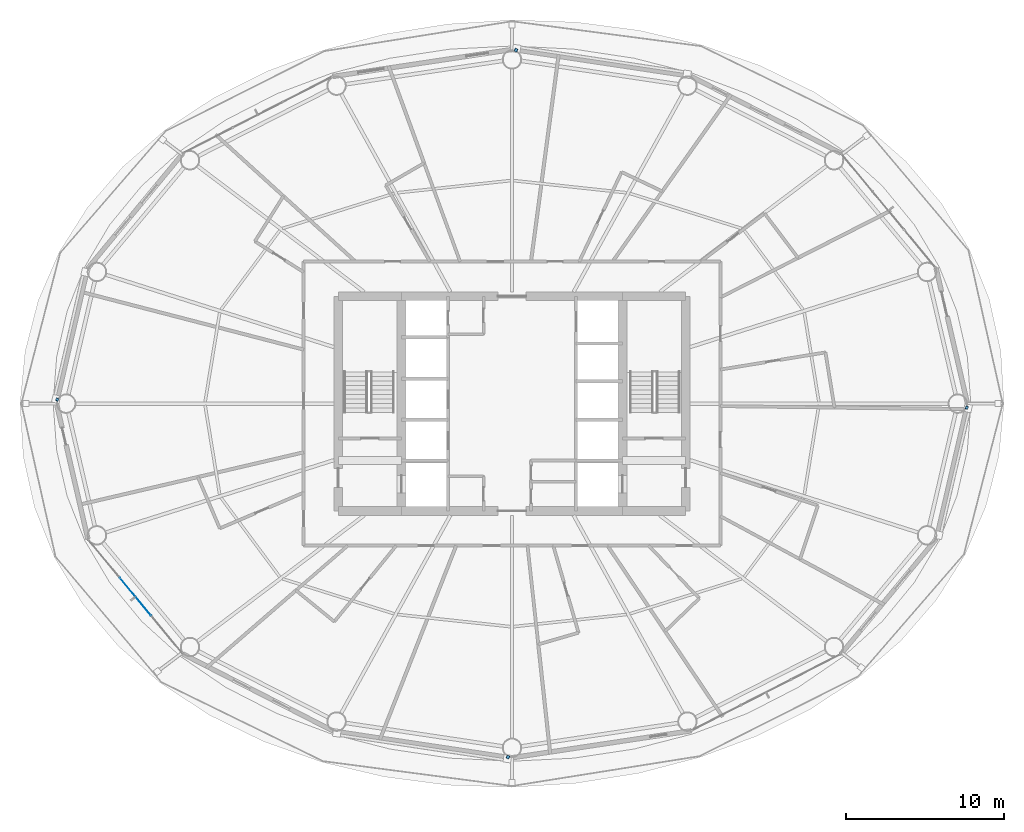
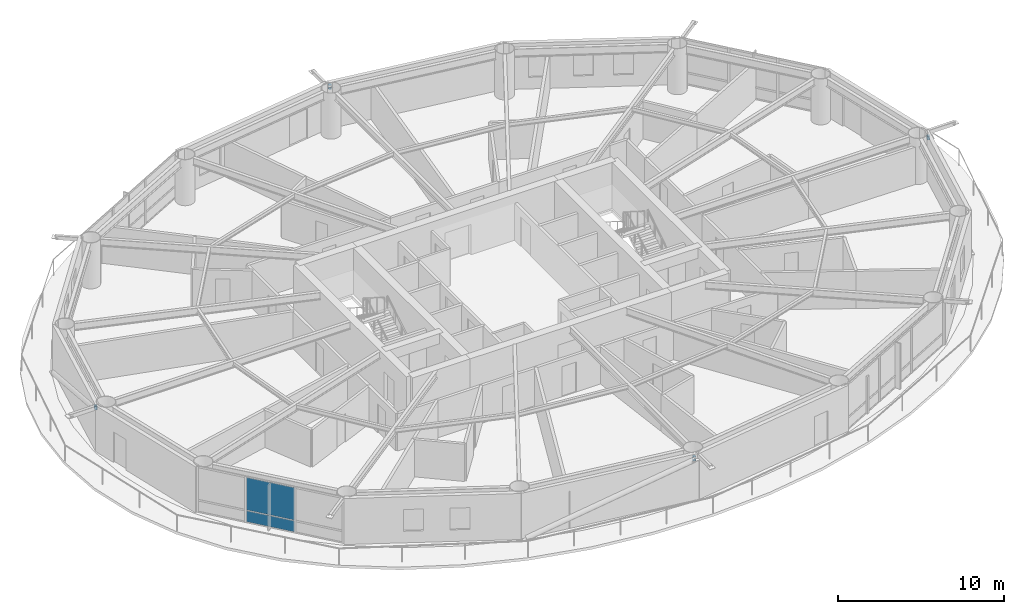
# One storey, part 13 of 24: 4 members, 2 plates, 1 element without a shape of its own.
"""IFC4 building model written with IfcOpenShell, lengths in metres."""

from ifc_helpers import new_model, si_unit, direction, frame, origin, origin_2d, place, context, subcontext, project, spatial, rectangle, hollow_rectangle, extrude, material, layer, layer_set, material_profile, profile_set, type_object, element, aggregate, save


model = new_model("IFC4")

# Units and contexts
model_context = context("Model", 3, precision=1e-05, world=origin(), true_north=direction((0.0, 1.0)))
body_context = subcontext(model_context, "Body", "Model", "MODEL_VIEW")
ifc_project = project(units=[si_unit("LENGTHUNIT", "METRE"), si_unit("AREAUNIT", "SQUARE_METRE"), si_unit("VOLUMEUNIT", "CUBIC_METRE"), si_unit("PLANEANGLEUNIT", "RADIAN"), si_unit("MASSUNIT", "GRAM", prefix="KILO")], contexts=[model_context])

# Site, building, storey
site_placement = place(None, origin())
site = spatial("IfcSite", under=ifc_project, at=site_placement, CompositionType="ELEMENT")
building_placement = place(site_placement, origin())
building = spatial("IfcBuilding", under=site, at=building_placement, Name="Sarneth Arch Tower", CompositionType="ELEMENT")
storey_placement = place(building_placement, frame((0.0, 0.0, 112.800048828125)))
storey = spatial("IfcBuildingStorey", under=building, at=storey_placement, Name="L28", CompositionType="ELEMENT", Elevation=112.800048828125)

# Members
ifc_material_1 = material(Name="Steel S355", Category="steel")
ifc_material_profile = material_profile(ifc_material_1, hollow_rectangle(XDim=0.199951171875, YDim=0.300048828125, WallThickness=0.012451171875, InnerFilletRadius=0.018798828125, OuterFilletRadius=0.03125, at=origin_2d()), Name="RHS300x200x12.5")
ifc_profile_set = profile_set([ifc_material_profile], Name="Steel S355")
member_type = type_object("IfcMemberType", Name="MEM-CANT-STRUT", PredefinedType="STRUT", material=ifc_profile_set)
member_1_placement = place(storey_placement, frame((48.214599609375, 64.295654296875, 3.0126953125), z_axis=(0.396911150685, 0.91785703596, 0.0), x_axis=(-0.91785703596, 0.396911150685, 0.0)))
element("IfcMember", 1, at=member_1_placement, inside=storey, type_object=member_type, Name="L28 Exoskeleton brace node strut 04B", PredefinedType="STRUT", context=body_context, shape_type="SweptSolid", body=[
    extrude(hollow_rectangle(XDim=0.199951171875, YDim=0.300048828125, WallThickness=0.012451171875, InnerFilletRadius=0.018798828125, OuterFilletRadius=0.03125, at=origin_2d()), origin(), (0.0, 0.0, 1.0), 0.206787109375),
])
member_2_placement = place(storey_placement, frame((19.27197265625, 42.223876953125, 3.0126953125), z_axis=(-0.910619027161, 0.413246884287, 0.0), x_axis=(-0.413246884287, -0.910619027161, 0.0)))
element("IfcMember", 2, at=member_2_placement, inside=storey, type_object=member_type, Name="L28 Exoskeleton brace node strut 08B", PredefinedType="STRUT", context=body_context, shape_type="SweptSolid", body=[
    extrude(hollow_rectangle(XDim=0.199951171875, YDim=0.300048828125, WallThickness=0.012451171875, InnerFilletRadius=0.018798828125, OuterFilletRadius=0.03125, at=origin_2d()), origin(), (0.0, 0.0, 1.0), 0.16552734375),
])
member_3_placement = place(storey_placement, frame((47.785400390625, 19.704345703125, 3.0126953125), z_axis=(-0.396911150685, -0.91785703596, 0.0), x_axis=(0.91785703596, -0.396911150685, 0.0)))
element("IfcMember", 3, at=member_3_placement, inside=storey, type_object=member_type, Name="L28 Exoskeleton brace node strut 12B", PredefinedType="STRUT", context=body_context, shape_type="SweptSolid", body=[
    extrude(hollow_rectangle(XDim=0.199951171875, YDim=0.300048828125, WallThickness=0.012451171875, InnerFilletRadius=0.018798828125, OuterFilletRadius=0.03125, at=origin_2d()), origin(), (0.0, 0.0, 1.0), 0.206787109375),
])
member_4_placement = place(storey_placement, frame((76.72802734375, 41.776123046875, 3.0126953125), z_axis=(0.910619027161, -0.413246884287, 0.0), x_axis=(0.413246884287, 0.910619027161, 0.0)))
element("IfcMember", 4, at=member_4_placement, inside=storey, type_object=member_type, Name="L28 Exoskeleton brace node strut 16B", PredefinedType="STRUT", context=body_context, shape_type="SweptSolid", body=[
    extrude(hollow_rectangle(XDim=0.199951171875, YDim=0.300048828125, WallThickness=0.012451171875, InnerFilletRadius=0.018798828125, OuterFilletRadius=0.03125, at=origin_2d()), origin(), (0.0, 0.0, 1.0), 0.16552734375),
])

# Curtain wall, plates
ifc_material_2 = material(Name="Anodised aluminium Type AA25 and solar-control low-e laminated IGU", Category="aluminium")
ifc_layer_1 = layer(ifc_material_2, 0.159912109375)
ifc_layer_set_1 = layer_set([ifc_layer_1], Name="Anodised aluminium Type AA25 and solar-control low-e laminated IGU")
curtain_wall_type = type_object("IfcCurtainWallType", Name="CW-HOTEL-MID", PredefinedType="NOTDEFINED", material=ifc_layer_set_1)
curtain_wall_placement = place(storey_placement, origin())
curtain_wall = element("IfcCurtainWall", 5, at=curtain_wall_placement, inside=storey, type_object=curtain_wall_type, Name="L28 Unitised curtain wall facet 10", PredefinedType="NOTDEFINED")
ifc_material_3 = material(Name="Solar-control low-e laminated IGU", Category="glass")
ifc_layer_2 = layer(ifc_material_3, 0.028076171875)
ifc_layer_set_2 = layer_set([ifc_layer_2], Name="Solar-control low-e laminated IGU")
plate_type = type_object("IfcPlateType", Name="CW-PANEL", PredefinedType="CURTAIN_PANEL", material=ifc_layer_set_2)
plate_1_placement = place(storey_placement, frame((24.1494140625, 29.778076171875, 0.059814453125), z_axis=(0.0, 0.0, 1.0), x_axis=(0.637515188684, -0.770437787363, 0.0)))
plate_1 = element("IfcPlate", 6, at=plate_1_placement, type_object=plate_type, Name="Curtain wall glazed vision pane CW-L28-F10/P01-00", PredefinedType="CURTAIN_PANEL", context=body_context, shape_type="SweptSolid", body=[
    extrude(rectangle(XDim=3.08837890625, YDim=0.028076171875, at=origin_2d()), origin(), (0.0, 0.0, 1.0), 0.81005859375),
])
plate_2_placement = place(storey_placement, frame((24.1494140625, 29.778076171875, 0.93017578125), z_axis=(0.0, 0.0, 1.0), x_axis=(0.637515188684, -0.770437787363, 0.0)))
plate_2 = element("IfcPlate", 7, at=plate_2_placement, type_object=plate_type, Name="Curtain wall glazed vision pane CW-L28-F10/P01-01", PredefinedType="CURTAIN_PANEL", context=body_context, shape_type="SweptSolid", body=[
    extrude(rectangle(XDim=3.08837890625, YDim=0.028076171875, at=origin_2d()), origin(), (0.0, 0.0, 1.0), 2.389892578125),
])
aggregate(curtain_wall, [plate_1, plate_2])

save(model, "model.ifc")
